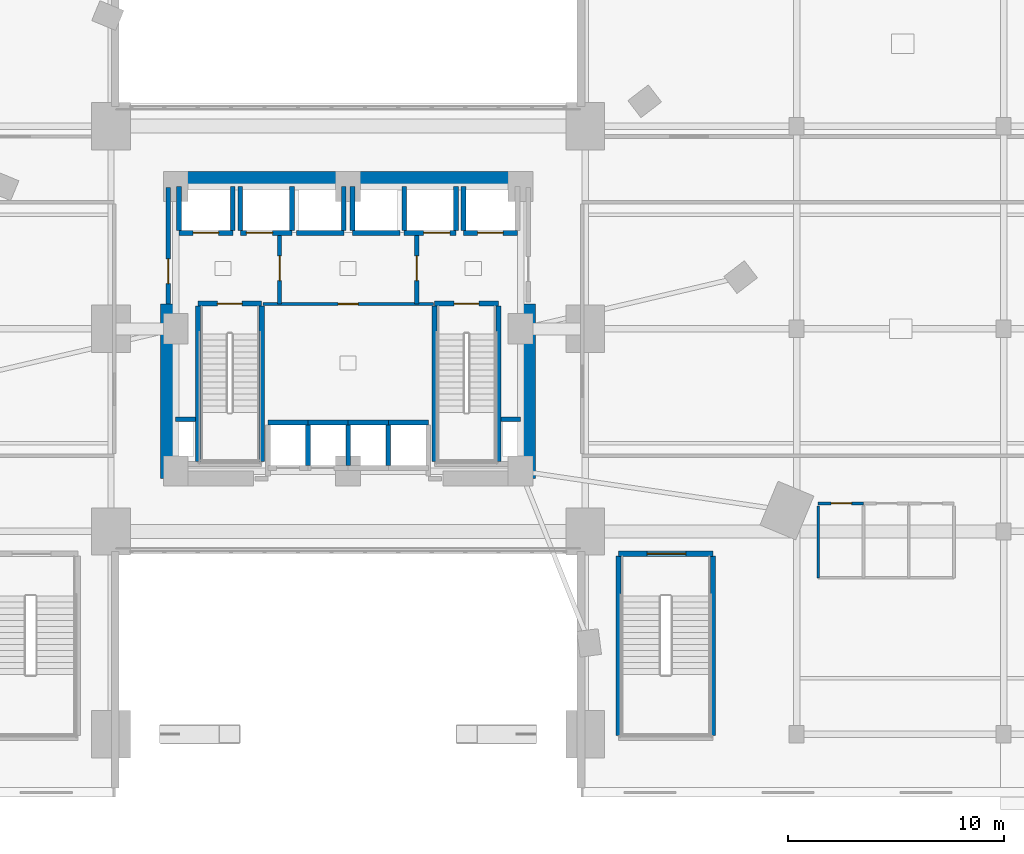
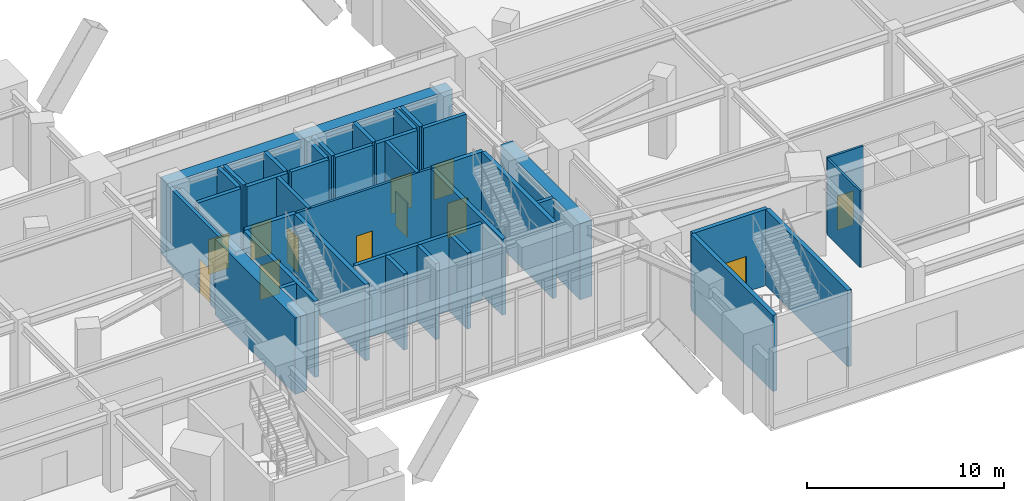
# One storey, part 20 of 26: 42 walls, 12 doors, 12 openings.
"""IFC4 building model written with IfcOpenShell, lengths in metres."""

import ifcopenshell
import ifcopenshell.guid

model = None  # the IFC model being written
_history = None  # IfcOwnerHistory: only IFC2X3 demands one
_inside = {}  # id of a spatial element -> (the spatial element, [elements in it])
_under = {}  # id of a project, library or spatial element -> (it, [spatial elements below it])
_declared = {}  # id of a project -> (the project, [libraries it declares])
_typed = {}  # id of a type object -> (the type object, [elements of that type])
_made_of = {}  # id of a material, layer set ... -> (it, [elements and type objects made of it])


def new_model(schema):
    """Start an empty IFC model of exactly this schema.

    Asked for "IFC4X3", IfcOpenShell would pick the latest addendum, in which some entities
    have other attributes; the version numbers below select the first issue.
    IFC2X3 requires an IfcOwnerHistory on every rooted entity: one is made here for all.
    """
    global model, _history
    if schema == "IFC4X3":
        model = ifcopenshell.file(schema_version=(4, 3, 0, 0))
    else:
        model = ifcopenshell.file(schema=schema)
    _inside.clear()
    _under.clear()
    _declared.clear()
    _typed.clear()
    _made_of.clear()
    _history = None
    if model.schema == "IFC2X3":
        org = make("IfcOrganization", Name="unknown")
        user = make(
            "IfcPersonAndOrganization",
            ThePerson=make("IfcPerson", FamilyName="unknown"),
            TheOrganization=org,
        )
        app = make(
            "IfcApplication",
            ApplicationDeveloper=org,
            Version="unknown",
            ApplicationFullName="unknown",
            ApplicationIdentifier="unknown",
        )
        _history = make(
            "IfcOwnerHistory",
            OwningUser=user,
            OwningApplication=app,
            ChangeAction="ADDED",
            CreationDate=0,
        )
    return model


def make(cls, **values):
    """One entity of the class cls with the attributes given. An attribute that is None is left unset."""
    return model.create_entity(
        cls, **{name: value for name, value in values.items() if value is not None}
    )


def rooted(cls, **values):
    """An entity with a GlobalId (a new one), such as an element, a storey or a relation."""
    return make(cls, GlobalId=ifcopenshell.guid.new(), OwnerHistory=_history, **values)


def si_unit(unit_type, name, prefix=None):
    """IfcSIUnit, for example si_unit("LENGTHUNIT", "METRE", prefix="MILLI")."""
    return make("IfcSIUnit", UnitType=unit_type, Prefix=prefix, Name=name)


def assignment(units):
    """IfcUnitAssignment: the units of a project."""
    return None if units is None else make("IfcUnitAssignment", Units=units)


def point(xyz):
    """IfcCartesianPoint."""
    return None if xyz is None else make("IfcCartesianPoint", Coordinates=xyz)


def direction(xyz):
    """IfcDirection."""
    return None if xyz is None else make("IfcDirection", DirectionRatios=xyz)


def frame(location, z_axis=None, x_axis=None):
    """IfcAxis2Placement3D, a coordinate frame: its origin and axes. An axis left out is left unset."""
    return make(
        "IfcAxis2Placement3D",
        Location=point(location),
        Axis=direction(z_axis),
        RefDirection=direction(x_axis),
    )


def frame_2d(location, x_axis=None):
    """IfcAxis2Placement2D, a coordinate frame in the plane: its origin and x axis."""
    return make(
        "IfcAxis2Placement2D", Location=point(location), RefDirection=direction(x_axis)
    )


def origin():
    """The frame at (0, 0, 0) with its axes left unset."""
    return frame((0.0, 0.0, 0.0))


def place(relative_to, where):
    """IfcLocalPlacement: puts the frame where relative to a parent placement (None: the world)."""
    return make(
        "IfcLocalPlacement", PlacementRelTo=relative_to, RelativePlacement=where
    )


def context(
    kind, dimensions, precision=None, world=None, true_north=None, identifier=None
):
    """IfcGeometricRepresentationContext, for example the 3D "Model" context."""
    return make(
        "IfcGeometricRepresentationContext",
        ContextIdentifier=identifier,
        ContextType=kind,
        CoordinateSpaceDimension=dimensions,
        Precision=precision,
        WorldCoordinateSystem=world,
        TrueNorth=true_north,
    )


def subcontext(parent, identifier, kind, view, scale=None):
    """IfcGeometricRepresentationSubContext, for example "Body" below "Model"."""
    return make(
        "IfcGeometricRepresentationSubContext",
        ContextIdentifier=identifier,
        ContextType=kind,
        ParentContext=parent,
        TargetScale=scale,
        TargetView=view,
    )


def project(units=None, contexts=None):
    """IfcProject with its units and contexts."""
    return rooted(
        "IfcProject",
        Name="project",
        RepresentationContexts=contexts,
        UnitsInContext=assignment(units),
    )


def spatial(cls, under=None, at=None, **own):
    """A site, building, storey or space (cls), placed at a placement, below another one or the project."""
    s = rooted(cls, ObjectPlacement=at, **own)
    if under is not None:
        _under.setdefault(under.id(), (under, []))[1].append(s)
    return s


def profile(cls, at=None, kind="AREA", **sizes):
    """A parametric profile (cls). Its sizes go by their IFC names, for example OverallWidth=200.0."""
    return make(cls, ProfileType=kind, Position=at, **sizes)


def rectangle(**sizes):
    """IfcRectangleProfileDef."""
    return profile("IfcRectangleProfileDef", **sizes)


def extrude(swept, where, along, depth):
    """IfcExtrudedAreaSolid: the profile swept, set in the frame where, extruded along a direction by depth."""
    return make(
        "IfcExtrudedAreaSolid",
        SweptArea=swept,
        Position=where,
        ExtrudedDirection=direction(along),
        Depth=depth,
    )


def shape(context_of_items, identifier, shape_type, items):
    """IfcShapeRepresentation: the items that make up one representation, for example the "Body"."""
    return make(
        "IfcShapeRepresentation",
        ContextOfItems=context_of_items,
        RepresentationIdentifier=identifier,
        RepresentationType=shape_type,
        Items=items,
    )


def material(Name=None, Category=None):
    """IfcMaterial."""
    return make("IfcMaterial", Name=Name, Category=Category)


def layer(
    of_material, thickness, ventilated=None, Name=None, Category=None, Priority=None
):
    """IfcMaterialLayer: one layer of a wall or slab, of a material (None: an air gap)."""
    return make(
        "IfcMaterialLayer",
        Material=of_material,
        LayerThickness=thickness,
        IsVentilated=ventilated,
        Name=Name,
        Category=Category,
        Priority=Priority,
    )


def layer_set(layers, Name=None):
    """IfcMaterialLayerSet."""
    return make("IfcMaterialLayerSet", MaterialLayers=layers, LayerSetName=Name)


def made_of(thing, what):
    """Note that an element or type object is made of a material, layer set ...; save() writes the relation."""
    if what is not None:
        _made_of.setdefault(what.id(), (what, []))[1].append(thing)
    return thing


def type_object(cls, material=None, **own):
    """A type object (cls), such as IfcWallType, which elements share."""
    return made_of(rooted(cls, **own), material)


def element(
    cls,
    number,
    at=None,
    inside=None,
    cuts=None,
    type_object=None,
    material=None,
    context=None,
    identifier="Body",
    shape_type=None,
    held_by="IfcProductDefinitionShape",
    body=None,
    shapes=None,
    **own,
):
    """One element of the class cls, such as IfcWall. Its Tag is "e" and its number.

    at: its placement. inside: the storey or other place that contains it. cuts: it is an
    opening in that element (IfcRelVoidsElement). A single representation is given by context,
    identifier, shape_type and body (its items); several are given by shapes. held_by: the class
    of the entity that holds the representations. save() writes the other relations.
    """
    e = rooted(cls, Tag="e%d" % number, ObjectPlacement=at, **own)
    if body is not None:
        shapes = [shape(context, identifier, shape_type, body)]
    if shapes is not None:
        e.Representation = make(held_by, Representations=shapes)
    if inside is not None:
        _inside.setdefault(inside.id(), (inside, []))[1].append(e)
    if cuts is not None:
        rooted(
            "IfcRelVoidsElement", RelatingBuildingElement=cuts, RelatedOpeningElement=e
        )
    if type_object is not None:
        _typed.setdefault(type_object.id(), (type_object, []))[1].append(e)
    return made_of(e, material)


def fill(opening, filler):
    """IfcRelFillsElement: the door or window that sits in an opening."""
    return rooted(
        "IfcRelFillsElement",
        RelatingOpeningElement=opening,
        RelatedBuildingElement=filler,
    )


def aggregate(whole, parts):
    """IfcRelAggregates: a whole, such as a stair, and the parts it consists of."""
    return rooted("IfcRelAggregates", RelatingObject=whole, RelatedObjects=parts)


def save(model, path):
    """Write the relations noted so far, then the file.

    IfcRelAggregates (storeys below a building ...), IfcRelContainedInSpatialStructure (elements
    in a storey), IfcRelDefinesByType, IfcRelAssociatesMaterial and IfcRelDeclares: one each for
    every whole, place, type object, material and project.
    """
    for whole, parts in _under.values():
        aggregate(whole, parts)
    for where, things in _inside.values():
        rooted(
            "IfcRelContainedInSpatialStructure",
            RelatedElements=things,
            RelatingStructure=where,
        )
    for kind, things in _typed.values():
        rooted("IfcRelDefinesByType", RelatedObjects=things, RelatingType=kind)
    for what, things in _made_of.values():
        rooted("IfcRelAssociatesMaterial", RelatedObjects=things, RelatingMaterial=what)
    for by, libraries in _declared.values():
        rooted("IfcRelDeclares", RelatingContext=by, RelatedDefinitions=libraries)
    model.write(path)


model = new_model("IFC4")

# Units and contexts
model_context = context("Model", 3, precision=1e-05, world=origin(), true_north=direction((0.0, 1.0)))
body_context = subcontext(model_context, "Body", "Model", "MODEL_VIEW")
ifc_project = project(units=[si_unit("LENGTHUNIT", "METRE"), si_unit("AREAUNIT", "SQUARE_METRE"), si_unit("VOLUMEUNIT", "CUBIC_METRE"), si_unit("PLANEANGLEUNIT", "RADIAN"), si_unit("MASSUNIT", "GRAM", prefix="KILO")], contexts=[model_context])

# Site, building, storey
site_placement = place(None, origin())
site = spatial("IfcSite", under=ifc_project, at=site_placement, CompositionType="ELEMENT")
building_placement = place(site_placement, origin())
building = spatial("IfcBuilding", under=site, at=building_placement, Name="Ndelora Gate Hotel", CompositionType="ELEMENT")
storey_placement = place(building_placement, frame((0.0, 0.0, 6.0)))
storey = spatial("IfcBuildingStorey", under=building, at=storey_placement, Name="L01", CompositionType="ELEMENT", Elevation=6.0)

# Walls
ifc_material_1 = material(Name="Concrete C60/75", Category="concrete")
ifc_layer_1 = layer(ifc_material_1, 0.699951171875)
ifc_layer_set_1 = layer_set([ifc_layer_1], Name="Concrete C60/75")
wall_type_1 = type_object("IfcWallType", Name="WL-CORE-700", PredefinedType="SHEAR", material=ifc_layer_set_1)
wall_1_placement = place(storey_placement, frame((-8.35009765625, 6.949951171875, 0.0), z_axis=(0.0, 0.0, 1.0), x_axis=(1.0, 0.0, 0.0)))
element("IfcWall", 1, at=wall_1_placement, inside=storey, type_object=wall_type_1, Name="L01 Core Shear Wall N", PredefinedType="SHEAR", context=body_context, shape_type="SweptSolid", body=[
    extrude(rectangle(XDim=16.7001953125, YDim=0.699951171875, at=frame_2d((8.35009765625, 0.0))), origin(), (0.0, 0.0, 1.0), 4.719970703125),
])
for number, where, z_axis, x_axis, name in (
    (2, (-8.35009765625, -6.949951171875, 0.0), (0.0, 0.0, 1.0), (0.0, 1.0, 0.0), "L01 Core Shear Wall W"),
    (3, (8.35009765625, -6.949951171875, 0.0), (0.0, 0.0, 1.0), (0.0, 1.0, 0.0), "L01 Core Shear Wall E"),
):
    element("IfcWall", number, at=place(storey_placement, frame(where, z_axis=z_axis, x_axis=x_axis)), inside=storey, type_object=wall_type_1, Name=name, PredefinedType="SHEAR", context=body_context, shape_type="SweptSolid", body=[
        extrude(rectangle(XDim=8.099853515625, YDim=0.699951171875, at=frame_2d((4.0498046875, 0.0))), origin(), (0.0, 0.0, 1.0), 4.719970703125),
    ])

# Wall, opening, door
ifc_material_2 = material(Name="Concrete C40/50", Category="concrete")
ifc_layer_2 = layer(ifc_material_2, 0.199951171875)
ifc_layer_set_2 = layer_set([ifc_layer_2], Name="Concrete C40/50")
wall_type_2 = type_object("IfcWallType", Name="WL-FIRE-200", PredefinedType="PARTITIONING", material=ifc_layer_set_2)
wall_2_placement = place(storey_placement, frame((-3.179931640625, 1.14990234375, 0.0), z_axis=(0.0, 0.0, 1.0), x_axis=(0.0, 1.0, 0.0)))
wall_2 = element("IfcWall", 4, at=wall_2_placement, inside=storey, type_object=wall_type_2, Name="L01 Interior Wall IW-2", PredefinedType="PARTITIONING", context=body_context, shape_type="SweptSolid", body=[
    extrude(rectangle(XDim=3.300048828125, YDim=0.199951171875, at=frame_2d((1.64990234375, 0.0))), origin(), (0.0, 0.0, 1.0), 4.719970703125),
])
opening_1_placement = place(wall_2_placement, frame((1.080078125, 0.0, 0.0)))
opening_1 = element("IfcOpeningElement", 5, at=opening_1_placement, cuts=wall_2, Name="Opening FD1", PredefinedType="OPENING", context=body_context, shape_type="SweptSolid", body=[
    extrude(rectangle(XDim=1.14990234375, YDim=2.14990234375, at=frame_2d((0.574951171875, 1.074951171875))), frame((0.0, 0.10986328125, 0.0), z_axis=(0.0, -1.0, 0.0), x_axis=(1.0, 0.0, 0.0)), (0.0, 0.0, 1.0), 0.219970703125),
])
ifc_material_3 = material(Name="Fire-Rated Timber-Veneer Steel Core", Category="steel")
door_type_1 = type_object("IfcDoorType", Name="DR-FD60", OperationType="SINGLE_SWING_LEFT", PredefinedType="DOOR", material=ifc_material_3)
door_1_placement = place(opening_1_placement, origin())
door_1 = element("IfcDoor", 6, at=door_1_placement, inside=storey, type_object=door_type_1, Name="L01 Firefighting Lobby West Door", OperationType="SINGLE_SWING_RIGHT", OverallHeight=2.14990234375, OverallWidth=1.14990234375, PredefinedType="DOOR", context=body_context, shape_type="SweptSolid", body=[
    extrude(rectangle(XDim=1.14990234375, YDim=2.14990234375, at=frame_2d((0.574951171875, 1.074951171875))), frame((0.0, 0.02490234375, 0.0), z_axis=(0.0, -1.0, 0.0), x_axis=(1.0, 0.0, 0.0)), (0.0, 0.0, 1.0), 0.050048828125),
])
fill(opening_1, door_1)

wall_3_placement = place(storey_placement, frame((3.179931640625, 1.14990234375, 0.0), z_axis=(0.0, 0.0, 1.0), x_axis=(0.0, 1.0, 0.0)))
wall_3 = element("IfcWall", 7, at=wall_3_placement, inside=storey, type_object=wall_type_2, Name="L01 Interior Wall IW-2", PredefinedType="PARTITIONING", context=body_context, shape_type="SweptSolid", body=[
    extrude(rectangle(XDim=3.300048828125, YDim=0.199951171875, at=frame_2d((1.64990234375, 0.0))), origin(), (0.0, 0.0, 1.0), 4.719970703125),
])
opening_2_placement = place(wall_3_placement, frame((1.080078125, 0.0, 0.0)))
opening_2 = element("IfcOpeningElement", 8, at=opening_2_placement, cuts=wall_3, Name="Opening FD1", PredefinedType="OPENING", context=body_context, shape_type="SweptSolid", body=[
    extrude(rectangle(XDim=1.14990234375, YDim=2.14990234375, at=frame_2d((0.574951171875, 1.074951171875))), frame((0.0, 0.10986328125, 0.0), z_axis=(0.0, -1.0, 0.0), x_axis=(1.0, 0.0, 0.0)), (0.0, 0.0, 1.0), 0.219970703125),
])
door_2_placement = place(opening_2_placement, origin())
door_2 = element("IfcDoor", 9, at=door_2_placement, inside=storey, type_object=door_type_1, Name="L01 Firefighting Lobby East Door", OperationType="SINGLE_SWING_LEFT", OverallHeight=2.14990234375, OverallWidth=1.14990234375, PredefinedType="DOOR", context=body_context, shape_type="SweptSolid", body=[
    extrude(rectangle(XDim=1.14990234375, YDim=2.14990234375, at=frame_2d((0.574951171875, 1.074951171875))), frame((0.0, 0.02490234375, 0.0), z_axis=(0.0, -1.0, 0.0), x_axis=(1.0, 0.0, 0.0)), (0.0, 0.0, 1.0), 0.050048828125),
])
fill(opening_2, door_2)

wall_4_placement = place(storey_placement, frame((-8.35009765625, 1.14990234375, 0.0), z_axis=(0.0, 0.0, 1.0), x_axis=(0.0, 1.0, 0.0)))
wall_4 = element("IfcWall", 10, at=wall_4_placement, inside=storey, type_object=wall_type_2, Name="L01 Interior Wall IW-2", PredefinedType="PARTITIONING", context=body_context, shape_type="SweptSolid", body=[
    extrude(rectangle(XDim=5.400146484375, YDim=0.199951171875, at=frame_2d((2.7001953125, 0.0))), origin(), (0.0, 0.0, 1.0), 4.719970703125),
])
opening_3_placement = place(wall_4_placement, frame((0.949951171875, 0.0, 0.0)))
opening_3 = element("IfcOpeningElement", 11, at=opening_3_placement, cuts=wall_4, Name="Opening FD1", PredefinedType="OPENING", context=body_context, shape_type="SweptSolid", body=[
    extrude(rectangle(XDim=1.14990234375, YDim=2.14990234375, at=frame_2d((0.574951171875, 1.074951171875))), frame((0.0, 0.10986328125, 0.0), z_axis=(0.0, -1.0, 0.0), x_axis=(1.0, 0.0, 0.0)), (0.0, 0.0, 1.0), 0.219970703125),
])
door_3_placement = place(opening_3_placement, origin())
door_3 = element("IfcDoor", 12, at=door_3_placement, inside=storey, type_object=door_type_1, Name="L01 Firefighting Lobby West Corridor Door", OperationType="SINGLE_SWING_LEFT", OverallHeight=2.14990234375, OverallWidth=1.14990234375, PredefinedType="DOOR", context=body_context, shape_type="SweptSolid", body=[
    extrude(rectangle(XDim=1.14990234375, YDim=2.14990234375, at=frame_2d((0.574951171875, 1.074951171875))), frame((0.0, 0.02490234375, 0.0), z_axis=(0.0, -1.0, 0.0), x_axis=(1.0, 0.0, 0.0)), (0.0, 0.0, 1.0), 0.050048828125),
])
fill(opening_3, door_3)

ifc_material_4 = material(Name="Fire-Rated Gypsum Stud Partition", Category="gypsum")
ifc_layer_3 = layer(ifc_material_4, 0.14990234375)
ifc_layer_set_3 = layer_set([ifc_layer_3], Name="Fire-Rated Gypsum Stud Partition")
wall_type_3 = type_object("IfcWallType", Name="WL-PART-150", PredefinedType="PARTITIONING", material=ifc_layer_set_3)
wall_5_placement = place(storey_placement, frame((3.949951171875, 1.14990234375, 0.0), z_axis=(0.0, 0.0, 1.0), x_axis=(-1.0, 0.0, 0.0)))
wall_5 = element("IfcWall", 13, at=wall_5_placement, inside=storey, type_object=wall_type_3, Name="L01 Interior Wall IW-5", PredefinedType="PARTITIONING", context=body_context, shape_type="SweptSolid", body=[
    extrude(rectangle(XDim=7.89990234375, YDim=0.14990234375, at=frame_2d((3.949951171875, 0.0))), origin(), (0.0, 0.0, 1.0), 4.719970703125),
])
opening_4_placement = place(wall_5_placement, frame((3.489990234375, 0.0, 0.0)))
opening_4 = element("IfcOpeningElement", 14, at=opening_4_placement, cuts=wall_5, Name="Opening D04", PredefinedType="OPENING", context=body_context, shape_type="SweptSolid", body=[
    extrude(rectangle(XDim=0.919921875, YDim=2.050048828125, at=frame_2d((0.4599609375, 1.02490234375))), frame((0.0, 0.0849609375, 0.0), z_axis=(0.0, -1.0, 0.0), x_axis=(1.0, 0.0, 0.0)), (0.0, 0.0, 1.0), 0.169921875),
])
ifc_material_5 = material(Name="Painted Steel Core Service Door", Category="steel")
door_type_2 = type_object("IfcDoorType", Name="DR-SER-920", OperationType="SINGLE_SWING_LEFT", PredefinedType="DOOR", material=ifc_material_5)
door_4_placement = place(opening_4_placement, origin())
door_4 = element("IfcDoor", 15, at=door_4_placement, inside=storey, type_object=door_type_2, Name="L01 Core Electrical and Linen Service Store Door", OperationType="SINGLE_SWING_LEFT", OverallHeight=2.050048828125, OverallWidth=0.919921875, PredefinedType="DOOR", context=body_context, shape_type="SweptSolid", body=[
    extrude(rectangle(XDim=0.919921875, YDim=2.050048828125, at=frame_2d((0.4599609375, 1.02490234375))), frame((0.0, 0.02490234375, 0.0), z_axis=(0.0, -1.0, 0.0), x_axis=(1.0, 0.0, 0.0)), (0.0, 0.0, 1.0), 0.050048828125),
])
fill(opening_4, door_4)

# Walls
ifc_layer_4 = layer(ifc_material_2, 0.219970703125)
ifc_layer_set_4 = layer_set([ifc_layer_4], Name="Concrete C40/50")
wall_type_4 = type_object("IfcWallType", Name="WL-SHAFT-220", PredefinedType="PARTITIONING", material=ifc_layer_set_4)
for number, where, z_axis, x_axis, name in (
    (16, (-8.0, -4.199951171875, 0.0), (0.0, 0.0, 1.0), (1.0, 0.0, 0.0), "L01 Interior Wall IW-1"),
    (17, (7.090087890625, -4.199951171875, 0.0), (0.0, 0.0, 1.0), (1.0, 0.0, 0.0), "L01 Interior Wall IW-1"),
):
    element("IfcWall", number, at=place(storey_placement, frame(where, z_axis=z_axis, x_axis=x_axis)), inside=storey, type_object=wall_type_4, Name=name, PredefinedType="PARTITIONING", context=body_context, shape_type="SweptSolid", body=[
        extrude(rectangle(XDim=0.909912109375, YDim=0.219970703125, at=frame_2d((0.455078125, 0.0))), origin(), (0.0, 0.0, 1.0), 4.719970703125),
    ])

# Wall, opening, door
wall_6_placement = place(storey_placement, frame((-7.85009765625, 4.449951171875, 0.0), z_axis=(0.0, 0.0, 1.0), x_axis=(1.0, 0.0, 0.0)))
wall_6 = element("IfcWall", 18, at=wall_6_placement, inside=storey, type_object=wall_type_4, Name="L01 Interior Wall IW-1", PredefinedType="PARTITIONING", context=body_context, shape_type="SweptSolid", body=[
    extrude(rectangle(XDim=2.5, YDim=0.219970703125, at=frame_2d((1.25, 0.0))), origin(), (0.0, 0.0, 1.0), 4.719970703125),
])
opening_5_placement = place(wall_6_placement, frame((0.659912109375, 0.0, 0.0)))
opening_5 = element("IfcOpeningElement", 19, at=opening_5_placement, cuts=wall_6, Name="Opening LD5", PredefinedType="OPENING", context=body_context, shape_type="SweptSolid", body=[
    extrude(rectangle(XDim=1.179931640625, YDim=2.14990234375, at=frame_2d((0.58984375, 1.074951171875))), frame((0.0, 0.1201171875, 0.0), z_axis=(0.0, -1.0, 0.0), x_axis=(1.0, 0.0, 0.0)), (0.0, 0.0, 1.0), 0.239990234375),
])
ifc_material_6 = material(Name="Firefighting Lift Stainless Sliding Landing Door", Category="metal")
door_type_3 = type_object("IfcDoorType", Name="DR-LD5", OperationType="DOUBLE_DOOR_SLIDING", PredefinedType="DOOR", material=ifc_material_6)
door_5_placement = place(opening_5_placement, origin())
door_5 = element("IfcDoor", 20, at=door_5_placement, inside=storey, type_object=door_type_3, Name="L01 Lift Landing Sliding Door FFL1", OperationType="DOUBLE_DOOR_SLIDING", OverallHeight=2.14990234375, OverallWidth=1.179931640625, PredefinedType="DOOR", context=body_context, shape_type="SweptSolid", body=[
    extrude(rectangle(XDim=1.179931640625, YDim=2.14990234375, at=frame_2d((0.58984375, 1.074951171875))), frame((0.0, 0.02490234375, 0.0), z_axis=(0.0, -1.0, 0.0), x_axis=(1.0, 0.0, 0.0)), (0.0, 0.0, 1.0), 0.050048828125),
])
fill(opening_5, door_5)

# Walls
wall_7_placement = place(storey_placement, frame((-7.85009765625, 4.570068359375, 0.0), z_axis=(0.0, 0.0, 1.0), x_axis=(0.0, 1.0, 0.0)))
element("IfcWall", 21, at=wall_7_placement, inside=storey, type_object=wall_type_4, Name="L01 Interior Wall IW-1", PredefinedType="PARTITIONING", context=body_context, shape_type="SweptSolid", body=[
    extrude(rectangle(XDim=2.030029296875, YDim=0.219970703125, at=frame_2d((1.01513671875, 0.0))), origin(), (0.0, 0.0, 1.0), 4.300048828125),
])
wall_8_placement = place(storey_placement, frame((-5.35009765625, 4.570068359375, 0.0), z_axis=(0.0, 0.0, 1.0), x_axis=(0.0, 1.0, 0.0)))
element("IfcWall", 22, at=wall_8_placement, inside=storey, type_object=wall_type_4, Name="L01 Interior Wall IW-1", PredefinedType="PARTITIONING", context=body_context, shape_type="SweptSolid", body=[
    extrude(rectangle(XDim=2.030029296875, YDim=0.219970703125, at=frame_2d((1.01513671875, 0.0))), origin(), (0.0, 0.0, 1.0), 4.719970703125),
])

# Wall, opening, door
wall_9_placement = place(storey_placement, frame((5.35009765625, 4.449951171875, 0.0), z_axis=(0.0, 0.0, 1.0), x_axis=(1.0, 0.0, 0.0)))
wall_9 = element("IfcWall", 23, at=wall_9_placement, inside=storey, type_object=wall_type_4, Name="L01 Interior Wall IW-1", PredefinedType="PARTITIONING", context=body_context, shape_type="SweptSolid", body=[
    extrude(rectangle(XDim=2.5, YDim=0.219970703125, at=frame_2d((1.25, 0.0))), origin(), (0.0, 0.0, 1.0), 4.719970703125),
])
opening_6_placement = place(wall_9_placement, frame((0.659912109375, 0.0, 0.0)))
opening_6 = element("IfcOpeningElement", 24, at=opening_6_placement, cuts=wall_9, Name="Opening LD5", PredefinedType="OPENING", context=body_context, shape_type="SweptSolid", body=[
    extrude(rectangle(XDim=1.179931640625, YDim=2.14990234375, at=frame_2d((0.58984375, 1.074951171875))), frame((0.0, 0.1201171875, 0.0), z_axis=(0.0, -1.0, 0.0), x_axis=(1.0, 0.0, 0.0)), (0.0, 0.0, 1.0), 0.239990234375),
])
door_6_placement = place(opening_6_placement, origin())
door_6 = element("IfcDoor", 25, at=door_6_placement, inside=storey, type_object=door_type_3, Name="L01 Lift Landing Sliding Door FFL2", OperationType="DOUBLE_DOOR_SLIDING", OverallHeight=2.14990234375, OverallWidth=1.179931640625, PredefinedType="DOOR", context=body_context, shape_type="SweptSolid", body=[
    extrude(rectangle(XDim=1.179931640625, YDim=2.14990234375, at=frame_2d((0.58984375, 1.074951171875))), frame((0.0, 0.02490234375, 0.0), z_axis=(0.0, -1.0, 0.0), x_axis=(1.0, 0.0, 0.0)), (0.0, 0.0, 1.0), 0.050048828125),
])
fill(opening_6, door_6)

# Wall
wall_10_placement = place(storey_placement, frame((5.35009765625, 4.570068359375, 0.0), z_axis=(0.0, 0.0, 1.0), x_axis=(0.0, 1.0, 0.0)))
element("IfcWall", 26, at=wall_10_placement, inside=storey, type_object=wall_type_4, Name="L01 Interior Wall IW-1", PredefinedType="PARTITIONING", context=body_context, shape_type="SweptSolid", body=[
    extrude(rectangle(XDim=2.030029296875, YDim=0.219970703125, at=frame_2d((1.01513671875, 0.0))), origin(), (0.0, 0.0, 1.0), 4.719970703125),
])

# Wall, opening, door
wall_11_placement = place(storey_placement, frame((-5.0, 4.449951171875, 0.0), z_axis=(0.0, 0.0, 1.0), x_axis=(1.0, 0.0, 0.0)))
wall_11 = element("IfcWall", 27, at=wall_11_placement, inside=storey, type_object=wall_type_4, Name="L01 Interior Wall IW-1", PredefinedType="PARTITIONING", context=body_context, shape_type="SweptSolid", body=[
    extrude(rectangle(XDim=2.39990234375, YDim=0.219970703125, at=frame_2d((1.199951171875, 0.0))), origin(), (0.0, 0.0, 1.0), 4.719970703125),
])
opening_7_placement = place(wall_11_placement, frame((0.280029296875, 0.0, 0.0)))
opening_7 = element("IfcOpeningElement", 28, at=opening_7_placement, cuts=wall_11, Name="Opening LD6", PredefinedType="OPENING", context=body_context, shape_type="SweptSolid", body=[
    extrude(rectangle(XDim=1.219970703125, YDim=2.14990234375, at=frame_2d((0.60986328125, 1.074951171875))), frame((0.0, 0.1201171875, 0.0), z_axis=(0.0, -1.0, 0.0), x_axis=(1.0, 0.0, 0.0)), (0.0, 0.0, 1.0), 0.239990234375),
])
ifc_material_7 = material(Name="Heavy-Duty Service Lift Sliding Landing Door", Category="wood")
door_type_4 = type_object("IfcDoorType", Name="DR-LD6", OperationType="DOUBLE_DOOR_SLIDING", PredefinedType="DOOR", material=ifc_material_7)
door_7_placement = place(opening_7_placement, origin())
door_7 = element("IfcDoor", 29, at=door_7_placement, inside=storey, type_object=door_type_4, Name="L01 Lift Landing Sliding Door SVL1", OperationType="DOUBLE_DOOR_SLIDING", OverallHeight=2.14990234375, OverallWidth=1.219970703125, PredefinedType="DOOR", context=body_context, shape_type="SweptSolid", body=[
    extrude(rectangle(XDim=1.219970703125, YDim=2.14990234375, at=frame_2d((0.60986328125, 1.074951171875))), frame((0.0, 0.02490234375, 0.0), z_axis=(0.0, -1.0, 0.0), x_axis=(1.0, 0.0, 0.0)), (0.0, 0.0, 1.0), 0.050048828125),
])
fill(opening_7, door_7)

# Walls
for number, where, z_axis, x_axis, name in (
    (30, (-5.0, 4.570068359375, 0.0), (0.0, 0.0, 1.0), (0.0, 1.0, 0.0), "L01 Interior Wall IW-1"),
    (31, (-2.60009765625, 4.570068359375, 0.0), (0.0, 0.0, 1.0), (0.0, 1.0, 0.0), "L01 Interior Wall IW-1"),
):
    element("IfcWall", number, at=place(storey_placement, frame(where, z_axis=z_axis, x_axis=x_axis)), inside=storey, type_object=wall_type_4, Name=name, PredefinedType="PARTITIONING", context=body_context, shape_type="SweptSolid", body=[
        extrude(rectangle(XDim=2.030029296875, YDim=0.219970703125, at=frame_2d((1.01513671875, 0.0))), origin(), (0.0, 0.0, 1.0), 4.719970703125),
    ])

# Wall, opening, door
wall_12_placement = place(storey_placement, frame((2.60009765625, 4.449951171875, 0.0), z_axis=(0.0, 0.0, 1.0), x_axis=(1.0, 0.0, 0.0)))
wall_12 = element("IfcWall", 32, at=wall_12_placement, inside=storey, type_object=wall_type_4, Name="L01 Interior Wall IW-1", PredefinedType="PARTITIONING", context=body_context, shape_type="SweptSolid", body=[
    extrude(rectangle(XDim=2.39990234375, YDim=0.219970703125, at=frame_2d((1.199951171875, 0.0))), origin(), (0.0, 0.0, 1.0), 4.719970703125),
])
opening_8_placement = place(wall_12_placement, frame((0.89990234375, 0.0, 0.0)))
opening_8 = element("IfcOpeningElement", 33, at=opening_8_placement, cuts=wall_12, Name="Opening LD6", PredefinedType="OPENING", context=body_context, shape_type="SweptSolid", body=[
    extrude(rectangle(XDim=1.219970703125, YDim=2.14990234375, at=frame_2d((0.60986328125, 1.074951171875))), frame((0.0, 0.1201171875, 0.0), z_axis=(0.0, -1.0, 0.0), x_axis=(1.0, 0.0, 0.0)), (0.0, 0.0, 1.0), 0.239990234375),
])
door_8_placement = place(opening_8_placement, origin())
door_8 = element("IfcDoor", 34, at=door_8_placement, inside=storey, type_object=door_type_4, Name="L01 Lift Landing Sliding Door SVL2", OperationType="DOUBLE_DOOR_SLIDING", OverallHeight=2.14990234375, OverallWidth=1.219970703125, PredefinedType="DOOR", context=body_context, shape_type="SweptSolid", body=[
    extrude(rectangle(XDim=1.219970703125, YDim=2.14990234375, at=frame_2d((0.60986328125, 1.074951171875))), frame((0.0, 0.02490234375, 0.0), z_axis=(0.0, -1.0, 0.0), x_axis=(1.0, 0.0, 0.0)), (0.0, 0.0, 1.0), 0.050048828125),
])
fill(opening_8, door_8)

# Walls
for number, where, z_axis, x_axis, name in (
    (35, (2.60009765625, 4.570068359375, 0.0), (0.0, 0.0, 1.0), (0.0, 1.0, 0.0), "L01 Interior Wall IW-1"),
    (36, (5.0, 4.570068359375, 0.0), (0.0, 0.0, 1.0), (0.0, 1.0, 0.0), "L01 Interior Wall IW-1"),
):
    element("IfcWall", number, at=place(storey_placement, frame(where, z_axis=z_axis, x_axis=x_axis)), inside=storey, type_object=wall_type_4, Name=name, PredefinedType="PARTITIONING", context=body_context, shape_type="SweptSolid", body=[
        extrude(rectangle(XDim=2.030029296875, YDim=0.219970703125, at=frame_2d((1.01513671875, 0.0))), origin(), (0.0, 0.0, 1.0), 4.719970703125),
    ])
wall_13_placement = place(storey_placement, frame((-3.719970703125, -4.35009765625, 0.0), z_axis=(0.0, 0.0, 1.0), x_axis=(1.0, 0.0, 0.0)))
element("IfcWall", 37, at=wall_13_placement, inside=storey, type_object=wall_type_4, Name="L01 Interior Wall IW-1", PredefinedType="PARTITIONING", context=body_context, shape_type="SweptSolid", body=[
    extrude(rectangle(XDim=1.85986328125, YDim=0.219970703125, at=frame_2d((0.929931640625, 0.0))), origin(), (0.0, 0.0, 1.0), 4.719970703125),
])
for number, where, z_axis, x_axis, name in (
    (38, (-1.860107421875, -6.330078125, 0.0), (0.0, 0.0, 1.0), (0.0, 1.0, 0.0), "L01 Interior Wall IW-1"),
    (39, (-1.860107421875, -4.35009765625, 0.0), (0.0, 0.0, 1.0), (1.0, 0.0, 0.0), "L01 Interior Wall IW-1"),
    (40, (0.0, -6.330078125, 0.0), (0.0, 0.0, 1.0), (0.0, 1.0, 0.0), "L01 Interior Wall IW-1"),
    (41, (0.0, -4.35009765625, 0.0), (0.0, 0.0, 1.0), (1.0, 0.0, 0.0), "L01 Interior Wall IW-1"),
    (42, (1.860107421875, -6.330078125, 0.0), (0.0, 0.0, 1.0), (0.0, 1.0, 0.0), "L01 Interior Wall IW-1"),
):
    element("IfcWall", number, at=place(storey_placement, frame(where, z_axis=z_axis, x_axis=x_axis)), inside=storey, type_object=wall_type_4, Name=name, PredefinedType="PARTITIONING", context=body_context, shape_type="SweptSolid", body=[
        extrude(rectangle(XDim=1.860107421875, YDim=0.219970703125, at=frame_2d((0.93017578125, 0.0))), origin(), (0.0, 0.0, 1.0), 4.719970703125),
    ])
wall_14_placement = place(storey_placement, frame((1.860107421875, -4.35009765625, 0.0), z_axis=(0.0, 0.0, 1.0), x_axis=(1.0, 0.0, 0.0)))
element("IfcWall", 43, at=wall_14_placement, inside=storey, type_object=wall_type_4, Name="L01 Interior Wall IW-1", PredefinedType="PARTITIONING", context=body_context, shape_type="SweptSolid", body=[
    extrude(rectangle(XDim=1.85986328125, YDim=0.219970703125, at=frame_2d((0.929931640625, 0.0))), origin(), (0.0, 0.0, 1.0), 4.719970703125),
])
wall_15_placement = place(storey_placement, frame((-2.39990234375, 4.449951171875, 0.0), z_axis=(0.0, 0.0, 1.0), x_axis=(1.0, 0.0, 0.0)))
element("IfcWall", 44, at=wall_15_placement, inside=storey, type_object=wall_type_4, Name="L01 Interior Wall IW-1", PredefinedType="PARTITIONING", context=body_context, shape_type="SweptSolid", body=[
    extrude(rectangle(XDim=2.199951171875, YDim=0.219970703125, at=frame_2d((1.10009765625, 0.0))), origin(), (0.0, 0.0, 1.0), 4.719970703125),
])
wall_16_placement = place(storey_placement, frame((-0.199951171875, 4.570068359375, 0.0), z_axis=(0.0, 0.0, 1.0), x_axis=(0.0, 1.0, 0.0)))
element("IfcWall", 45, at=wall_16_placement, inside=storey, type_object=wall_type_4, Name="L01 Interior Wall IW-1", PredefinedType="PARTITIONING", context=body_context, shape_type="SweptSolid", body=[
    extrude(rectangle(XDim=2.030029296875, YDim=0.219970703125, at=frame_2d((1.01513671875, 0.0))), origin(), (0.0, 0.0, 1.0), 4.719970703125),
])
wall_17_placement = place(storey_placement, frame((0.199951171875, 4.449951171875, 0.0), z_axis=(0.0, 0.0, 1.0), x_axis=(1.0, 0.0, 0.0)))
element("IfcWall", 46, at=wall_17_placement, inside=storey, type_object=wall_type_4, Name="L01 Interior Wall IW-1", PredefinedType="PARTITIONING", context=body_context, shape_type="SweptSolid", body=[
    extrude(rectangle(XDim=2.199951171875, YDim=0.219970703125, at=frame_2d((1.10009765625, 0.0))), origin(), (0.0, 0.0, 1.0), 4.719970703125),
])
wall_18_placement = place(storey_placement, frame((0.199951171875, 4.570068359375, 0.0), z_axis=(0.0, 0.0, 1.0), x_axis=(0.0, 1.0, 0.0)))
element("IfcWall", 47, at=wall_18_placement, inside=storey, type_object=wall_type_4, Name="L01 Interior Wall IW-1", PredefinedType="PARTITIONING", context=body_context, shape_type="SweptSolid", body=[
    extrude(rectangle(XDim=2.030029296875, YDim=0.219970703125, at=frame_2d((1.01513671875, 0.0))), origin(), (0.0, 0.0, 1.0), 4.719970703125),
])
ifc_material_8 = material(Name="Concrete C50/60", Category="concrete")
ifc_layer_5 = layer(ifc_material_8, 0.239990234375)
ifc_layer_set_5 = layer_set([ifc_layer_5], Name="Concrete C50/60")
wall_type_5 = type_object("IfcWallType", Name="WL-STAIR-240", PredefinedType="SHEAR", material=ifc_layer_set_5)
for number, where, z_axis, x_axis, name in (
    (48, (-6.969970703125, -6.159912109375, 0.0), (0.0, 0.0, 1.0), (0.0, 1.0, 0.0), "L01 Stair Core Shear Wall SW-ST"),
    (49, (-4.010009765625, -6.159912109375, 0.0), (0.0, 0.0, 1.0), (0.0, 1.0, 0.0), "L01 Stair Core Shear Wall SW-ST"),
):
    element("IfcWall", number, at=place(storey_placement, frame(where, z_axis=z_axis, x_axis=x_axis)), inside=storey, type_object=wall_type_5, Name=name, PredefinedType="SHEAR", context=body_context, shape_type="SweptSolid", body=[
        extrude(rectangle(XDim=7.219970703125, YDim=0.239990234375, at=frame_2d((3.60986328125, 0.0))), origin(), (0.0, 0.0, 1.0), 4.719970703125),
    ])

# Wall, opening, door
wall_19_placement = place(storey_placement, frame((-6.969970703125, 1.169921875, 0.0), z_axis=(0.0, 0.0, 1.0), x_axis=(1.0, 0.0, 0.0)))
wall_19 = element("IfcWall", 50, at=wall_19_placement, inside=storey, type_object=wall_type_5, Name="L01 Stair Core Shear Wall SW-ST", PredefinedType="SHEAR", context=body_context, shape_type="SweptSolid", body=[
    extrude(rectangle(XDim=2.9599609375, YDim=0.239990234375, at=frame_2d((1.47998046875, 0.0))), origin(), (0.0, 0.0, 1.0), 4.719970703125),
])
opening_9_placement = place(wall_19_placement, frame((0.89990234375, 0.0, 0.0)))
opening_9 = element("IfcOpeningElement", 51, at=opening_9_placement, cuts=wall_19, Name="Opening FD1", PredefinedType="OPENING", context=body_context, shape_type="SweptSolid", body=[
    extrude(rectangle(XDim=1.14990234375, YDim=2.14990234375, at=frame_2d((0.574951171875, 1.074951171875))), frame((0.0, 0.1298828125, 0.0), z_axis=(0.0, -1.0, 0.0), x_axis=(1.0, 0.0, 0.0)), (0.0, 0.0, 1.0), 0.260009765625),
])
door_9_placement = place(opening_9_placement, origin())
door_9 = element("IfcDoor", 52, at=door_9_placement, inside=storey, type_object=door_type_1, Name="L01 Exit Stair ST4 Door", OperationType="SINGLE_SWING_LEFT", OverallHeight=2.14990234375, OverallWidth=1.14990234375, PredefinedType="DOOR", context=body_context, shape_type="SweptSolid", body=[
    extrude(rectangle(XDim=1.14990234375, YDim=2.14990234375, at=frame_2d((0.574951171875, 1.074951171875))), frame((0.0, 0.02490234375, 0.0), z_axis=(0.0, -1.0, 0.0), x_axis=(1.0, 0.0, 0.0)), (0.0, 0.0, 1.0), 0.050048828125),
])
fill(opening_9, door_9)

# Walls
for number, where, z_axis, x_axis, name in (
    (53, (4.010009765625, -6.159912109375, 0.0), (0.0, 0.0, 1.0), (0.0, 1.0, 0.0), "L01 Stair Core Shear Wall SW-ST"),
    (54, (6.969970703125, -6.159912109375, 0.0), (0.0, 0.0, 1.0), (0.0, 1.0, 0.0), "L01 Stair Core Shear Wall SW-ST"),
):
    element("IfcWall", number, at=place(storey_placement, frame(where, z_axis=z_axis, x_axis=x_axis)), inside=storey, type_object=wall_type_5, Name=name, PredefinedType="SHEAR", context=body_context, shape_type="SweptSolid", body=[
        extrude(rectangle(XDim=7.219970703125, YDim=0.239990234375, at=frame_2d((3.60986328125, 0.0))), origin(), (0.0, 0.0, 1.0), 4.719970703125),
    ])

# Wall, opening, door
wall_20_placement = place(storey_placement, frame((4.010009765625, 1.169921875, 0.0), z_axis=(0.0, 0.0, 1.0), x_axis=(1.0, 0.0, 0.0)))
wall_20 = element("IfcWall", 55, at=wall_20_placement, inside=storey, type_object=wall_type_5, Name="L01 Stair Core Shear Wall SW-ST", PredefinedType="SHEAR", context=body_context, shape_type="SweptSolid", body=[
    extrude(rectangle(XDim=2.9599609375, YDim=0.239990234375, at=frame_2d((1.47998046875, 0.0))), origin(), (0.0, 0.0, 1.0), 4.719970703125),
])
opening_10_placement = place(wall_20_placement, frame((0.89990234375, 0.0, 0.0)))
opening_10 = element("IfcOpeningElement", 56, at=opening_10_placement, cuts=wall_20, Name="Opening FD1", PredefinedType="OPENING", context=body_context, shape_type="SweptSolid", body=[
    extrude(rectangle(XDim=1.14990234375, YDim=2.14990234375, at=frame_2d((0.574951171875, 1.074951171875))), frame((0.0, 0.1298828125, 0.0), z_axis=(0.0, -1.0, 0.0), x_axis=(1.0, 0.0, 0.0)), (0.0, 0.0, 1.0), 0.260009765625),
])
door_10_placement = place(opening_10_placement, origin())
door_10 = element("IfcDoor", 57, at=door_10_placement, inside=storey, type_object=door_type_1, Name="L01 Exit Stair ST5 Door", OperationType="SINGLE_SWING_RIGHT", OverallHeight=2.14990234375, OverallWidth=1.14990234375, PredefinedType="DOOR", context=body_context, shape_type="SweptSolid", body=[
    extrude(rectangle(XDim=1.14990234375, YDim=2.14990234375, at=frame_2d((0.574951171875, 1.074951171875))), frame((0.0, 0.02490234375, 0.0), z_axis=(0.0, -1.0, 0.0), x_axis=(1.0, 0.0, 0.0)), (0.0, 0.0, 1.0), 0.050048828125),
])
fill(opening_10, door_10)

# Walls
for number, where, z_axis, x_axis, name in (
    (58, (12.5400390625, -18.860107421875, 0.0), (0.0, 0.0, 1.0), (0.0, 1.0, 0.0), "L01 Stair Core Shear Wall SW-ST"),
    (59, (16.919921875, -18.860107421875, 0.0), (0.0, 0.0, 1.0), (0.0, 1.0, 0.0), "L01 Stair Core Shear Wall SW-ST"),
):
    element("IfcWall", number, at=place(storey_placement, frame(where, z_axis=z_axis, x_axis=x_axis)), inside=storey, type_object=wall_type_5, Name=name, PredefinedType="SHEAR", context=body_context, shape_type="SweptSolid", body=[
        extrude(rectangle(XDim=8.320068359375, YDim=0.239990234375, at=frame_2d((4.16015625, 0.0))), origin(), (0.0, 0.0, 1.0), 4.719970703125),
    ])

# Wall, opening, door
wall_21_placement = place(storey_placement, frame((16.919921875, -10.429931640625, 0.0), z_axis=(0.0, 0.0, 1.0), x_axis=(-1.0, 0.0, 0.0)))
wall_21 = element("IfcWall", 60, at=wall_21_placement, inside=storey, type_object=wall_type_5, Name="L01 Stair Core Shear Wall SW-ST", PredefinedType="SHEAR", context=body_context, shape_type="SweptSolid", body=[
    extrude(rectangle(XDim=4.3798828125, YDim=0.239990234375, at=frame_2d((2.18994140625, 0.0))), origin(), (0.0, 0.0, 1.0), 4.719970703125),
])
opening_11_placement = place(wall_21_placement, frame((1.25, 0.0, 0.0)))
opening_11 = element("IfcOpeningElement", 61, at=opening_11_placement, cuts=wall_21, Name="Opening FD2", PredefinedType="OPENING", context=body_context, shape_type="SweptSolid", body=[
    extrude(rectangle(XDim=1.800048828125, YDim=2.199951171875, at=frame_2d((0.89990234375, 1.10009765625))), frame((0.0, 0.1298828125, 0.0), z_axis=(0.0, -1.0, 0.0), x_axis=(1.0, 0.0, 0.0)), (0.0, 0.0, 1.0), 0.260009765625),
])
ifc_material_9 = material(Name="Fire-Rated Double Exit Door", Category="wood")
door_type_5 = type_object("IfcDoorType", Name="DR-DBL-1800", OperationType="DOUBLE_DOOR_SINGLE_SWING", PredefinedType="DOOR", material=ifc_material_9)
door_11_placement = place(opening_11_placement, origin())
door_11 = element("IfcDoor", 62, at=door_11_placement, inside=storey, type_object=door_type_5, Name="L01 Ballroom Stair ST3B Door", OperationType="DOUBLE_DOOR_SINGLE_SWING", OverallHeight=2.199951171875, OverallWidth=1.800048828125, PredefinedType="DOOR", context=body_context, shape_type="SweptSolid", body=[
    extrude(rectangle(XDim=1.800048828125, YDim=2.199951171875, at=frame_2d((0.89990234375, 1.10009765625))), frame((0.0, 0.02490234375, 0.0), z_axis=(0.0, -1.0, 0.0), x_axis=(1.0, 0.0, 0.0)), (0.0, 0.0, 1.0), 0.050048828125),
])
fill(opening_11, door_11)

ifc_material_10 = material(Name="Moisture-Resistant Fire-Rated Tile Partition", Category="gypsum")
ifc_layer_6 = layer(ifc_material_10, 0.1298828125)
ifc_layer_set_6 = layer_set([ifc_layer_6], Name="Moisture-Resistant Fire-Rated Tile Partition")
wall_type_6 = type_object("IfcWallType", Name="WL-WET-RATED", PredefinedType="PARTITIONING", material=ifc_layer_set_6)
wall_22_placement = place(storey_placement, frame((23.89990234375, -8.10009765625, 0.0), z_axis=(0.0, 0.0, 1.0), x_axis=(-1.0, 0.0, 0.0)))
wall_22 = element("IfcWall", 63, at=wall_22_placement, inside=storey, type_object=wall_type_6, Name="L01 Interior Wall IW-6", PredefinedType="PARTITIONING", context=body_context, shape_type="SweptSolid", body=[
    extrude(rectangle(XDim=2.099853515625, YDim=0.1298828125, at=frame_2d((1.0498046875, 0.0))), origin(), (0.0, 0.0, 1.0), 4.719970703125),
])
opening_12_placement = place(wall_22_placement, frame((0.550048828125, 0.0, 0.0)))
opening_12 = element("IfcOpeningElement", 64, at=opening_12_placement, cuts=wall_22, Name="Opening D05", PredefinedType="OPENING", context=body_context, shape_type="SweptSolid", body=[
    extrude(rectangle(XDim=0.949951171875, YDim=2.10009765625, at=frame_2d((0.47509765625, 1.050048828125))), frame((0.0, 0.074951171875, 0.0), z_axis=(0.0, -1.0, 0.0), x_axis=(1.0, 0.0, 0.0)), (0.0, 0.0, 1.0), 0.14990234375),
])
ifc_material_11 = material(Name="Accessible Restroom Wide-Clearance Door", Category="wood")
door_type_6 = type_object("IfcDoorType", Name="DR-ACC-950", OperationType="SINGLE_SWING_LEFT", PredefinedType="DOOR", material=ifc_material_11)
door_12_placement = place(opening_12_placement, origin())
door_12 = element("IfcDoor", 65, at=door_12_placement, inside=storey, type_object=door_type_6, Name="L01 Male Public Restroom Door", OperationType="SINGLE_SWING_LEFT", OverallHeight=2.10009765625, OverallWidth=0.949951171875, PredefinedType="DOOR", context=body_context, shape_type="SweptSolid", body=[
    extrude(rectangle(XDim=0.949951171875, YDim=2.10009765625, at=frame_2d((0.47509765625, 1.050048828125))), frame((0.0, 0.02490234375, 0.0), z_axis=(0.0, -1.0, 0.0), x_axis=(1.0, 0.0, 0.0)), (0.0, 0.0, 1.0), 0.050048828125),
])
fill(opening_12, door_12)

# Wall
wall_23_placement = place(storey_placement, frame((21.800048828125, -11.550048828125, 0.0), z_axis=(0.0, 0.0, 1.0), x_axis=(0.0, 1.0, 0.0)))
element("IfcWall", 66, at=wall_23_placement, inside=storey, type_object=wall_type_6, Name="L01 Interior Wall IW-6", PredefinedType="PARTITIONING", context=body_context, shape_type="SweptSolid", body=[
    extrude(rectangle(XDim=3.340087890625, YDim=0.1298828125, at=frame_2d((1.669921875, 0.0))), origin(), (0.0, 0.0, 1.0), 4.719970703125),
])

save(model, "model.ifc")
